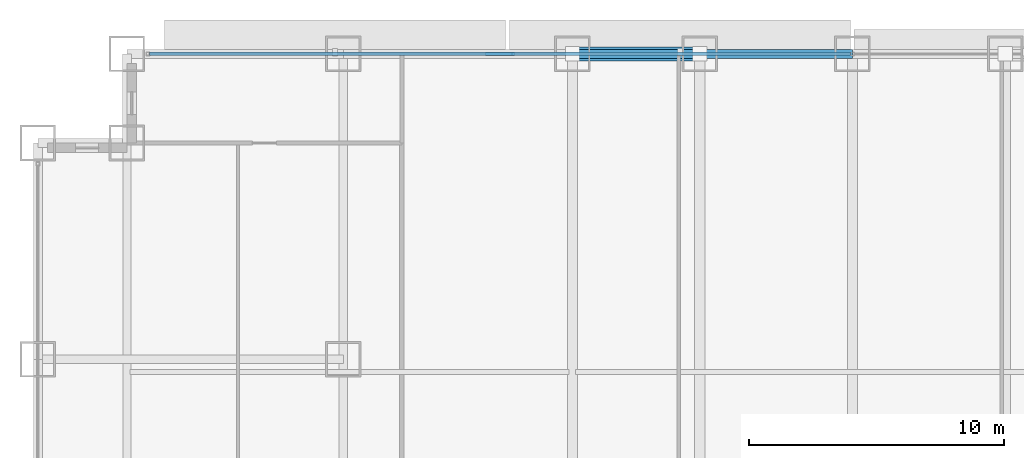
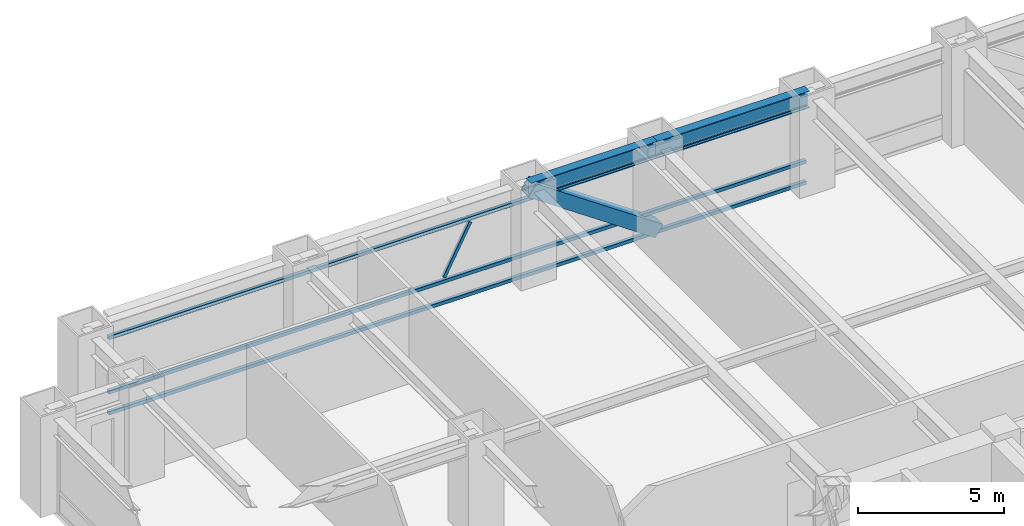
# One storey, part 18 of 32: 5 members, 2 beams, 1 element without a shape of its own.
"""IFC4 building model written with IfcOpenShell, lengths in metres."""

from ifc_helpers import new_model, si_unit, direction, frame, origin, origin_2d, place, context, subcontext, project, spatial, hollow_rectangle, i_section, extrude, source, transform, mapped, material, material_profile, profile_set, type_object, element, aggregate, save


model = new_model("IFC4")

# Units and contexts
model_context = context("Model", 3, precision=1e-05, world=origin(), true_north=direction((0.0, 1.0)))
body_context = subcontext(model_context, "Body", "Model", "MODEL_VIEW")
ifc_project = project(units=[si_unit("LENGTHUNIT", "METRE"), si_unit("AREAUNIT", "SQUARE_METRE"), si_unit("VOLUMEUNIT", "CUBIC_METRE"), si_unit("PLANEANGLEUNIT", "RADIAN"), si_unit("MASSUNIT", "GRAM", prefix="KILO")], contexts=[model_context])

# Site, building, storey
site_placement = place(None, origin())
site = spatial("IfcSite", under=ifc_project, at=site_placement, CompositionType="ELEMENT")
building_placement = place(site_placement, origin())
building = spatial("IfcBuilding", under=site, at=building_placement, Name="Khorayat Bourse Tower", CompositionType="ELEMENT")
storey_placement = place(building_placement, frame((0.0, 0.0, 70.39990234375)))
storey = spatial("IfcBuildingStorey", under=building, at=storey_placement, Name="L15", CompositionType="ELEMENT", Elevation=70.39990234375)

# Beams
ifc_material_1 = material(Name="Steel ASTM A992 Grade 50", Category="steel")
ifc_material_profile_1 = material_profile(ifc_material_1, i_section(OverallWidth=0.35498046875, OverallDepth=0.695068359375, WebThickness=0.015380859375, FlangeThickness=0.02490234375, FilletRadius=0.01806640625, at=origin_2d()), Name="W690X217")
ifc_profile_set_1 = profile_set([ifc_material_profile_1], Name="Steel ASTM A992 Grade 50")
beam_type = type_object("IfcBeamType", Name="BM-SPAN-690", PredefinedType="SPANDREL", material=ifc_profile_set_1)
shared_shape_1 = source(origin(), body_context, "Body", "SweptSolid", [
    extrude(i_section(OverallWidth=0.35498046875, OverallDepth=0.695068359375, WebThickness=0.015380859375, FlangeThickness=0.02490234375, FilletRadius=0.01806640625, at=origin_2d()), origin(), (0.0, 0.0, 1.0), 5.0),
])
beam_1_placement = place(storey_placement, frame((-11.0, 32.0, 3.592529296875), z_axis=(1.0, 0.0, 0.0), x_axis=(0.0, 1.0, 0.0)))
element("IfcBeam", 1, at=beam_1_placement, inside=storey, type_object=beam_type, Name="L15 BM-SPAN-690 BM-L15-SPN-049", PredefinedType="SPANDREL", context=body_context, shape_type="MappedRepresentation", body=[
    mapped(shared_shape_1, transform((0.0, 0.0, 0.0), scale=1.0)),
])
shared_shape_2 = source(origin(), body_context, "Body", "SweptSolid", [
    extrude(i_section(OverallWidth=0.35498046875, OverallDepth=0.695068359375, WebThickness=0.015380859375, FlangeThickness=0.02490234375, FilletRadius=0.01806640625, at=origin_2d()), origin(), (0.0, 0.0, 1.0), 6.0),
])
beam_2_placement = place(storey_placement, frame((-6.0, 32.0, 3.592529296875), z_axis=(1.0, 0.0, 0.0), x_axis=(0.0, 1.0, 0.0)))
element("IfcBeam", 2, at=beam_2_placement, inside=storey, type_object=beam_type, Name="L15 BM-SPAN-690 BM-L15-SPN-048", PredefinedType="SPANDREL", context=body_context, shape_type="MappedRepresentation", body=[
    mapped(shared_shape_2, transform((0.0, 0.0, 0.0), scale=1.0)),
])

# Member
ifc_material_2 = material(Name="Steel EN 10025-4 S460M", Category="steel")
ifc_material_profile_2 = material_profile(ifc_material_2, hollow_rectangle(XDim=0.550048828125, YDim=0.550048828125, WallThickness=0.031982421875, at=origin_2d()), Name="HSS 550x550x32")
ifc_profile_set_2 = profile_set([ifc_material_profile_2], Name="Steel EN 10025-4 S460M")
member_type_1 = type_object("IfcMemberType", Name="MBR-TUBE-550", PredefinedType="BRACE", material=ifc_profile_set_2)
shared_shape_3 = source(origin(), body_context, "Body", "SweptSolid", [
    extrude(hollow_rectangle(XDim=0.550048828125, YDim=0.550048828125, WallThickness=0.031982421875, at=origin_2d()), origin(), (0.0, 0.0, 1.0), 6.069091796875),
])
member_1_placement = place(storey_placement, frame((-11.0, 32.0, 3.690185546875), z_axis=(0.823835295996, 0.0, -0.566829255659), x_axis=(0.0, 1.0, 0.0)))
element("IfcMember", 3, at=member_1_placement, inside=storey, type_object=member_type_1, Name="L15 Perimeter Tube Brace 03", PredefinedType="BRACE", context=body_context, shape_type="MappedRepresentation", body=[
    mapped(shared_shape_3, transform((0.0, 0.0, 0.0), scale=1.0)),
])

# Curtain wall, members
ifc_material_3 = material(Name="Aluminium EN AW-6063 T6", Category="aluminium")
curtain_wall_type = type_object("IfcCurtainWallType", Name="CW-SYS-02", PredefinedType="NOTDEFINED", material=ifc_material_3)
curtain_wall_placement = place(storey_placement, origin())
curtain_wall = element("IfcCurtainWall", 4, at=curtain_wall_placement, inside=storey, type_object=curtain_wall_type, Name="L15 Curtain Wall CW-L15-N1", PredefinedType="NOTDEFINED")
ifc_material_profile_3 = material_profile(ifc_material_3, hollow_rectangle(XDim=0.1201171875, YDim=0.1201171875, WallThickness=0.0048828125, at=origin_2d()), Name="ALU 120x120x5")
ifc_profile_set_3 = profile_set([ifc_material_profile_3], Name="Aluminium EN AW-6063 T6")
member_type_2 = type_object("IfcMemberType", Name="CWM-DIAG-120", PredefinedType="MULLION", material=ifc_profile_set_3)
shared_shape_4 = source(origin(), body_context, "Body", "SweptSolid", [
    extrude(hollow_rectangle(XDim=0.1201171875, YDim=0.1201171875, WallThickness=0.0048828125, at=origin_2d()), origin(), (0.0, 0.0, 1.0), 2.22607421875),
])
member_2_placement = place(storey_placement, frame((-14.3583984375, 32.0, 1.10009765625), z_axis=(0.465759992596, 0.0, 0.884911085532), x_axis=(0.0, 1.0, 0.0)))
member_2 = element("IfcMember", 5, at=member_2_placement, type_object=member_type_2, Name="CW-L15-N1 Faceted Diagonal Mullion 1", PredefinedType="MULLION", context=body_context, shape_type="MappedRepresentation", body=[
    mapped(shared_shape_4, transform((0.0, 0.0, 0.0), scale=1.0)),
])
ifc_material_profile_4 = material_profile(ifc_material_3, hollow_rectangle(XDim=0.139892578125, YDim=0.139892578125, WallThickness=0.006103515625, at=origin_2d()), Name="ALU 140x140x6")
ifc_profile_set_4 = profile_set([ifc_material_profile_4], Name="Aluminium EN AW-6063 T6")
member_type_3 = type_object("IfcMemberType", Name="CWT-HORZ-140", PredefinedType="USERDEFINED", material=ifc_profile_set_4)
shared_shape_5 = source(origin(), body_context, "Body", "SweptSolid", [
    extrude(hollow_rectangle(XDim=0.139892578125, YDim=0.139892578125, WallThickness=0.006103515625, at=origin_2d()), origin(), (0.0, 0.0, 1.0), 27.5400390625),
])
member_3_placement = place(storey_placement, frame((-27.610107421875, 32.0, 0.070068359375), z_axis=(1.0, 0.0, 0.0), x_axis=(0.0, 1.0, 0.0)))
member_3 = element("IfcMember", 6, at=member_3_placement, type_object=member_type_3, Name="CW-L15-N1 Horizontal Transom 1-1", ObjectType="TRANSOM", PredefinedType="USERDEFINED", context=body_context, shape_type="MappedRepresentation", body=[
    mapped(shared_shape_5, transform((0.0, 0.0, 0.0), scale=1.0)),
])
member_4_placement = place(storey_placement, frame((-27.610107421875, 32.0, 0.9501953125), z_axis=(1.0, 0.0, 0.0), x_axis=(0.0, 1.0, 0.0)))
member_4 = element("IfcMember", 7, at=member_4_placement, type_object=member_type_3, Name="CW-L15-N1 Horizontal Transom 1-2", ObjectType="TRANSOM", PredefinedType="USERDEFINED", context=body_context, shape_type="MappedRepresentation", body=[
    mapped(shared_shape_5, transform((0.0, 0.0, 0.0), scale=1.0)),
])
member_5_placement = place(storey_placement, frame((-27.610107421875, 32.0, 3.22021484375), z_axis=(1.0, 0.0, 0.0), x_axis=(0.0, 1.0, 0.0)))
member_5 = element("IfcMember", 8, at=member_5_placement, type_object=member_type_3, Name="CW-L15-N1 Horizontal Transom 1-3", ObjectType="TRANSOM", PredefinedType="USERDEFINED", context=body_context, shape_type="MappedRepresentation", body=[
    mapped(shared_shape_5, transform((0.0, 0.0, 0.0), scale=1.0)),
])
aggregate(curtain_wall, [member_3, member_4, member_5, member_2])

save(model, "model.ifc")
